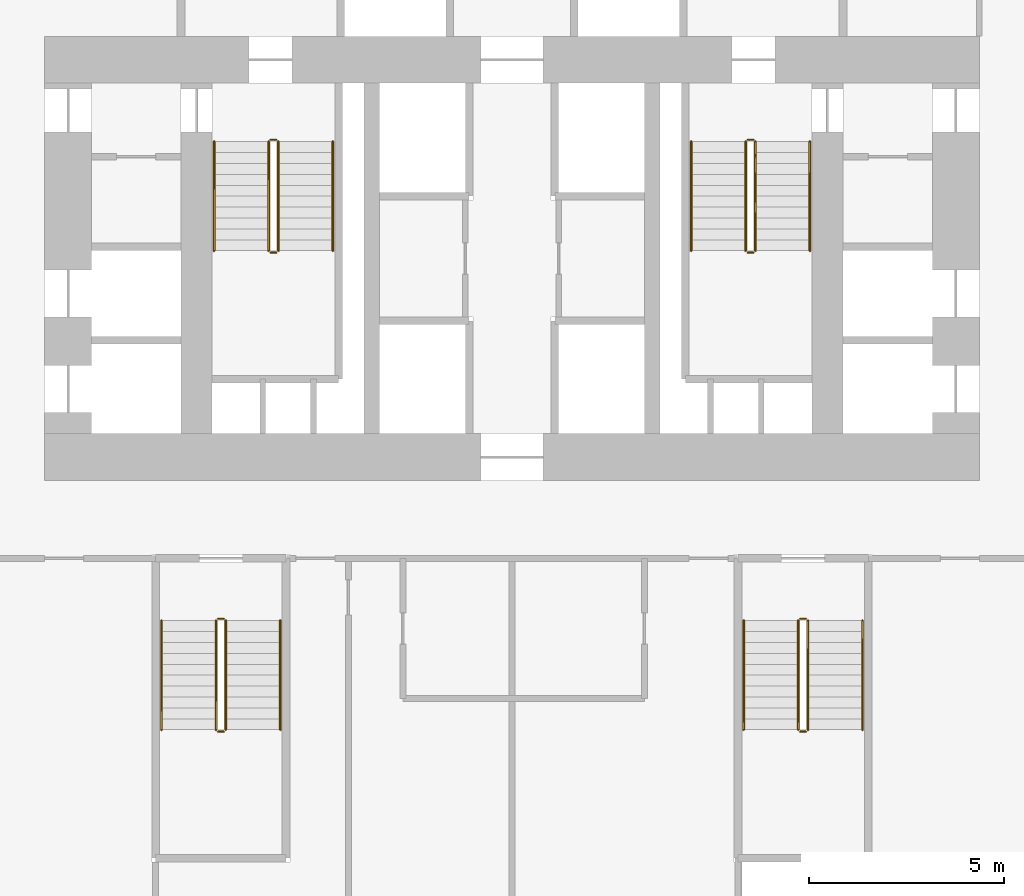
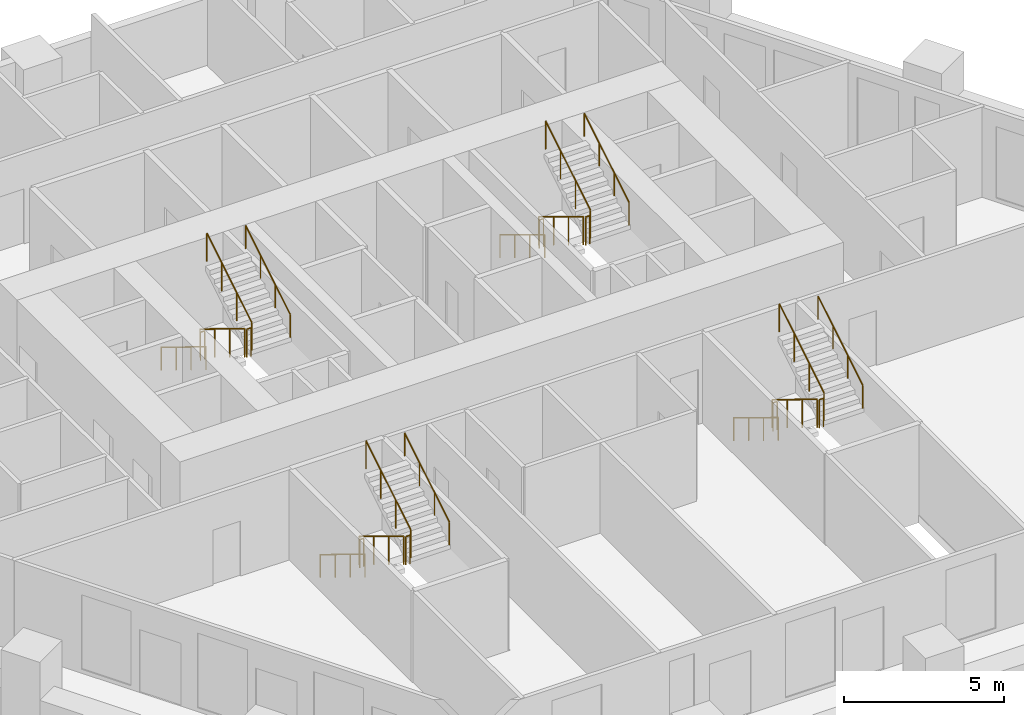
# One storey, part 8 of 8: 24 railings.
"""IFC4 building model written with IfcOpenShell, lengths in metres."""

from ifc_helpers import new_model, si_unit, direction, frame, origin, origin_2d, place, context, subcontext, project, spatial, circle, extrude, material, type_object, element, save


model = new_model("IFC4")

# Units and contexts
model_context = context("Model", 3, precision=1e-05, world=origin(), true_north=direction((0.0, 1.0)))
body_context = subcontext(model_context, "Body", "Model", "MODEL_VIEW")
ifc_project = project(units=[si_unit("LENGTHUNIT", "METRE"), si_unit("AREAUNIT", "SQUARE_METRE"), si_unit("VOLUMEUNIT", "CUBIC_METRE"), si_unit("PLANEANGLEUNIT", "RADIAN"), si_unit("MASSUNIT", "GRAM", prefix="KILO")], contexts=[model_context])

# Site, building, storey
site_placement = place(None, origin())
site = spatial("IfcSite", under=ifc_project, at=site_placement, CompositionType="ELEMENT")
building_placement = place(site_placement, origin())
building = spatial("IfcBuilding", under=site, at=building_placement, Name="Ostrander Bayou Hotel Tower", CompositionType="ELEMENT")
storey_placement = place(building_placement, frame((0.0, 0.0, 39.25)))
storey = spatial("IfcBuildingStorey", under=building, at=storey_placement, Name="L09", CompositionType="ELEMENT", Elevation=39.25)

# Railings
ifc_material_1 = material(Name="Steel ASTM A500 Gr C", Category="steel")
railing_type_1 = type_object("IfcRailingType", Name="GR1 stair guard 1100 mm steel", PredefinedType="GUARDRAIL", material=ifc_material_1)
railing_1_placement = place(storey_placement, frame((-6.25, 7.0, 0.17041015625)))
element("IfcRailing", 1, at=railing_1_placement, inside=storey, type_object=railing_type_1, Name="L09 STA stair guard 1", PredefinedType="GUARDRAIL", context=body_context, shape_type="SweptSolid", body=[
    extrude(circle(Radius=0.02392578125, at=origin_2d()), frame((0.0, 0.0, 1.076171875), z_axis=(0.0, -0.854169791009, 0.51999420009), x_axis=(1.0, 0.0, 0.0)), (0.0, 0.0, 1.0), 3.278076171875),
    extrude(circle(Radius=0.02099609375, at=origin_2d()), origin(), (0.0, 0.0, 1.0), 1.052001953125),
    extrude(circle(Radius=0.02099609375, at=origin_2d()), frame((0.0, -0.933349609375, 0.568115234375)), (0.0, 0.0, 1.0), 1.052001953125),
    extrude(circle(Radius=0.02099609375, at=origin_2d()), frame((0.0, -1.86669921875, 1.136474609375)), (0.0, 0.0, 1.0), 1.052001953125),
    extrude(circle(Radius=0.02099609375, at=origin_2d()), frame((0.0, -2.800048828125, 1.70458984375)), (0.0, 0.0, 1.0), 1.052001953125),
])
railing_2_placement = place(storey_placement, frame((-6.199951171875, 4.14990234375, 1.875)))
element("IfcRailing", 2, at=railing_2_placement, inside=storey, type_object=railing_type_1, Name="L09 STA stair guard 2", PredefinedType="GUARDRAIL", context=body_context, shape_type="SweptSolid", body=[
    extrude(circle(Radius=0.02392578125, at=origin_2d()), frame((0.0, 0.0, 1.076171875), z_axis=(1.0, 0.0, 0.0), x_axis=(0.0, 1.0, 0.0)), (0.0, 0.0, 1.0), 0.14990234375),
    extrude(circle(Radius=0.02099609375, at=origin_2d()), origin(), (0.0, 0.0, 1.0), 1.052001953125),
    extrude(circle(Radius=0.02099609375, at=origin_2d()), frame((0.14990234375, 0.0, 0.0)), (0.0, 0.0, 1.0), 1.052001953125),
])
railing_3_placement = place(storey_placement, frame((-6.0, 4.199951171875, 2.04541015625)))
element("IfcRailing", 3, at=railing_3_placement, inside=storey, type_object=railing_type_1, Name="L09 STA stair guard 3", PredefinedType="GUARDRAIL", context=body_context, shape_type="SweptSolid", body=[
    extrude(circle(Radius=0.02392578125, at=origin_2d()), frame((0.0, 0.0, 1.076171875), z_axis=(0.0, 0.854169791009, 0.51999420009), x_axis=(-1.0, 0.0, 0.0)), (0.0, 0.0, 1.0), 3.278076171875),
    extrude(circle(Radius=0.02099609375, at=origin_2d()), origin(), (0.0, 0.0, 1.0), 1.052001953125),
    extrude(circle(Radius=0.02099609375, at=origin_2d()), frame((0.0, 0.933349609375, 0.568115234375)), (0.0, 0.0, 1.0), 1.052001953125),
    extrude(circle(Radius=0.02099609375, at=origin_2d()), frame((0.0, 1.86669921875, 1.136474609375)), (0.0, 0.0, 1.0), 1.052001953125),
    extrude(circle(Radius=0.02099609375, at=origin_2d()), frame((0.0, 2.800048828125, 1.70458984375)), (0.0, 0.0, 1.0), 1.052001953125),
])
railing_4_placement = place(storey_placement, frame((-6.199951171875, 7.050048828125, 0.0)))
element("IfcRailing", 4, at=railing_4_placement, inside=storey, type_object=railing_type_1, Name="L09 STA stair guard 4", PredefinedType="GUARDRAIL", context=body_context, shape_type="SweptSolid", body=[
    extrude(circle(Radius=0.02392578125, at=origin_2d()), frame((0.0, 0.0, 1.076171875), z_axis=(1.0, 0.0, 0.0), x_axis=(0.0, 1.0, 0.0)), (0.0, 0.0, 1.0), 0.14990234375),
    extrude(circle(Radius=0.02099609375, at=origin_2d()), origin(), (0.0, 0.0, 1.0), 1.052001953125),
    extrude(circle(Radius=0.02099609375, at=origin_2d()), frame((0.14990234375, 0.0, 0.0)), (0.0, 0.0, 1.0), 1.052001953125),
])
railing_5_placement = place(storey_placement, frame((6.0, 7.0, 0.17041015625)))
element("IfcRailing", 5, at=railing_5_placement, inside=storey, type_object=railing_type_1, Name="L09 STB stair guard 1", PredefinedType="GUARDRAIL", context=body_context, shape_type="SweptSolid", body=[
    extrude(circle(Radius=0.02392578125, at=origin_2d()), frame((0.0, 0.0, 1.076171875), z_axis=(0.0, -0.854169791009, 0.51999420009), x_axis=(1.0, 0.0, 0.0)), (0.0, 0.0, 1.0), 3.278076171875),
    extrude(circle(Radius=0.02099609375, at=origin_2d()), origin(), (0.0, 0.0, 1.0), 1.052001953125),
    extrude(circle(Radius=0.02099609375, at=origin_2d()), frame((0.0, -0.933349609375, 0.568115234375)), (0.0, 0.0, 1.0), 1.052001953125),
    extrude(circle(Radius=0.02099609375, at=origin_2d()), frame((0.0, -1.86669921875, 1.136474609375)), (0.0, 0.0, 1.0), 1.052001953125),
    extrude(circle(Radius=0.02099609375, at=origin_2d()), frame((0.0, -2.800048828125, 1.70458984375)), (0.0, 0.0, 1.0), 1.052001953125),
])
railing_6_placement = place(storey_placement, frame((6.050048828125, 4.14990234375, 1.875)))
element("IfcRailing", 6, at=railing_6_placement, inside=storey, type_object=railing_type_1, Name="L09 STB stair guard 2", PredefinedType="GUARDRAIL", context=body_context, shape_type="SweptSolid", body=[
    extrude(circle(Radius=0.02392578125, at=origin_2d()), frame((0.0, 0.0, 1.076171875), z_axis=(1.0, 0.0, 0.0), x_axis=(0.0, 1.0, 0.0)), (0.0, 0.0, 1.0), 0.14990234375),
    extrude(circle(Radius=0.02099609375, at=origin_2d()), origin(), (0.0, 0.0, 1.0), 1.052001953125),
    extrude(circle(Radius=0.02099609375, at=origin_2d()), frame((0.14990234375, 0.0, 0.0)), (0.0, 0.0, 1.0), 1.052001953125),
])
railing_7_placement = place(storey_placement, frame((6.25, 4.199951171875, 2.04541015625)))
element("IfcRailing", 7, at=railing_7_placement, inside=storey, type_object=railing_type_1, Name="L09 STB stair guard 3", PredefinedType="GUARDRAIL", context=body_context, shape_type="SweptSolid", body=[
    extrude(circle(Radius=0.02392578125, at=origin_2d()), frame((0.0, 0.0, 1.076171875), z_axis=(0.0, 0.854169791009, 0.51999420009), x_axis=(-1.0, 0.0, 0.0)), (0.0, 0.0, 1.0), 3.278076171875),
    extrude(circle(Radius=0.02099609375, at=origin_2d()), origin(), (0.0, 0.0, 1.0), 1.052001953125),
    extrude(circle(Radius=0.02099609375, at=origin_2d()), frame((0.0, 0.933349609375, 0.568115234375)), (0.0, 0.0, 1.0), 1.052001953125),
    extrude(circle(Radius=0.02099609375, at=origin_2d()), frame((0.0, 1.86669921875, 1.136474609375)), (0.0, 0.0, 1.0), 1.052001953125),
    extrude(circle(Radius=0.02099609375, at=origin_2d()), frame((0.0, 2.800048828125, 1.70458984375)), (0.0, 0.0, 1.0), 1.052001953125),
])
railing_8_placement = place(storey_placement, frame((6.050048828125, 7.050048828125, 0.0)))
element("IfcRailing", 8, at=railing_8_placement, inside=storey, type_object=railing_type_1, Name="L09 STB stair guard 4", PredefinedType="GUARDRAIL", context=body_context, shape_type="SweptSolid", body=[
    extrude(circle(Radius=0.02392578125, at=origin_2d()), frame((0.0, 0.0, 1.076171875), z_axis=(1.0, 0.0, 0.0), x_axis=(0.0, 1.0, 0.0)), (0.0, 0.0, 1.0), 0.14990234375),
    extrude(circle(Radius=0.02099609375, at=origin_2d()), origin(), (0.0, 0.0, 1.0), 1.052001953125),
    extrude(circle(Radius=0.02099609375, at=origin_2d()), frame((0.14990234375, 0.0, 0.0)), (0.0, 0.0, 1.0), 1.052001953125),
])
railing_9_placement = place(storey_placement, frame((7.35009765625, -5.300048828125, 0.17041015625)))
element("IfcRailing", 9, at=railing_9_placement, inside=storey, type_object=railing_type_1, Name="L09 STC stair guard 1", PredefinedType="GUARDRAIL", context=body_context, shape_type="SweptSolid", body=[
    extrude(circle(Radius=0.02392578125, at=origin_2d()), frame((0.0, 0.0, 1.076171875), z_axis=(0.0, -0.854169791009, 0.51999420009), x_axis=(1.0, 0.0, 0.0)), (0.0, 0.0, 1.0), 3.278076171875),
    extrude(circle(Radius=0.02099609375, at=origin_2d()), origin(), (0.0, 0.0, 1.0), 1.052001953125),
    extrude(circle(Radius=0.02099609375, at=origin_2d()), frame((0.0, -0.933349609375, 0.568115234375)), (0.0, 0.0, 1.0), 1.052001953125),
    extrude(circle(Radius=0.02099609375, at=origin_2d()), frame((0.0, -1.86669921875, 1.136474609375)), (0.0, 0.0, 1.0), 1.052001953125),
    extrude(circle(Radius=0.02099609375, at=origin_2d()), frame((0.0, -2.800048828125, 1.70458984375)), (0.0, 0.0, 1.0), 1.052001953125),
])
railing_10_placement = place(storey_placement, frame((7.39990234375, -8.14990234375, 1.875)))
element("IfcRailing", 10, at=railing_10_placement, inside=storey, type_object=railing_type_1, Name="L09 STC stair guard 2", PredefinedType="GUARDRAIL", context=body_context, shape_type="SweptSolid", body=[
    extrude(circle(Radius=0.02392578125, at=origin_2d()), frame((0.0, 0.0, 1.076171875), z_axis=(1.0, 0.0, 0.0), x_axis=(0.0, 1.0, 0.0)), (0.0, 0.0, 1.0), 0.150146484375),
    extrude(circle(Radius=0.02099609375, at=origin_2d()), origin(), (0.0, 0.0, 1.0), 1.052001953125),
    extrude(circle(Radius=0.02099609375, at=origin_2d()), frame((0.150146484375, 0.0, 0.0)), (0.0, 0.0, 1.0), 1.052001953125),
])
railing_11_placement = place(storey_placement, frame((7.60009765625, -8.10009765625, 2.04541015625)))
element("IfcRailing", 11, at=railing_11_placement, inside=storey, type_object=railing_type_1, Name="L09 STC stair guard 3", PredefinedType="GUARDRAIL", context=body_context, shape_type="SweptSolid", body=[
    extrude(circle(Radius=0.02392578125, at=origin_2d()), frame((0.0, 0.0, 1.076171875), z_axis=(0.0, 0.854169791009, 0.51999420009), x_axis=(-1.0, 0.0, 0.0)), (0.0, 0.0, 1.0), 3.278076171875),
    extrude(circle(Radius=0.02099609375, at=origin_2d()), origin(), (0.0, 0.0, 1.0), 1.052001953125),
    extrude(circle(Radius=0.02099609375, at=origin_2d()), frame((0.0, 0.933349609375, 0.568115234375)), (0.0, 0.0, 1.0), 1.052001953125),
    extrude(circle(Radius=0.02099609375, at=origin_2d()), frame((0.0, 1.86669921875, 1.136474609375)), (0.0, 0.0, 1.0), 1.052001953125),
    extrude(circle(Radius=0.02099609375, at=origin_2d()), frame((0.0, 2.800048828125, 1.70458984375)), (0.0, 0.0, 1.0), 1.052001953125),
])
railing_12_placement = place(storey_placement, frame((7.39990234375, -5.25, 0.0)))
element("IfcRailing", 12, at=railing_12_placement, inside=storey, type_object=railing_type_1, Name="L09 STC stair guard 4", PredefinedType="GUARDRAIL", context=body_context, shape_type="SweptSolid", body=[
    extrude(circle(Radius=0.02392578125, at=origin_2d()), frame((0.0, 0.0, 1.076171875), z_axis=(1.0, 0.0, 0.0), x_axis=(0.0, 1.0, 0.0)), (0.0, 0.0, 1.0), 0.150146484375),
    extrude(circle(Radius=0.02099609375, at=origin_2d()), origin(), (0.0, 0.0, 1.0), 1.052001953125),
    extrude(circle(Radius=0.02099609375, at=origin_2d()), frame((0.150146484375, 0.0, 0.0)), (0.0, 0.0, 1.0), 1.052001953125),
])
railing_13_placement = place(storey_placement, frame((-7.60009765625, -5.300048828125, 0.17041015625)))
element("IfcRailing", 13, at=railing_13_placement, inside=storey, type_object=railing_type_1, Name="L09 STD stair guard 1", PredefinedType="GUARDRAIL", context=body_context, shape_type="SweptSolid", body=[
    extrude(circle(Radius=0.02392578125, at=origin_2d()), frame((0.0, 0.0, 1.076171875), z_axis=(0.0, -0.854169791009, 0.51999420009), x_axis=(1.0, 0.0, 0.0)), (0.0, 0.0, 1.0), 3.278076171875),
    extrude(circle(Radius=0.02099609375, at=origin_2d()), origin(), (0.0, 0.0, 1.0), 1.052001953125),
    extrude(circle(Radius=0.02099609375, at=origin_2d()), frame((0.0, -0.933349609375, 0.568115234375)), (0.0, 0.0, 1.0), 1.052001953125),
    extrude(circle(Radius=0.02099609375, at=origin_2d()), frame((0.0, -1.86669921875, 1.136474609375)), (0.0, 0.0, 1.0), 1.052001953125),
    extrude(circle(Radius=0.02099609375, at=origin_2d()), frame((0.0, -2.800048828125, 1.70458984375)), (0.0, 0.0, 1.0), 1.052001953125),
])
railing_14_placement = place(storey_placement, frame((-7.550048828125, -8.14990234375, 1.875)))
element("IfcRailing", 14, at=railing_14_placement, inside=storey, type_object=railing_type_1, Name="L09 STD stair guard 2", PredefinedType="GUARDRAIL", context=body_context, shape_type="SweptSolid", body=[
    extrude(circle(Radius=0.02392578125, at=origin_2d()), frame((0.0, 0.0, 1.076171875), z_axis=(1.0, 0.0, 0.0), x_axis=(0.0, 1.0, 0.0)), (0.0, 0.0, 1.0), 0.150146484375),
    extrude(circle(Radius=0.02099609375, at=origin_2d()), origin(), (0.0, 0.0, 1.0), 1.052001953125),
    extrude(circle(Radius=0.02099609375, at=origin_2d()), frame((0.150146484375, 0.0, 0.0)), (0.0, 0.0, 1.0), 1.052001953125),
])
railing_15_placement = place(storey_placement, frame((-7.35009765625, -8.10009765625, 2.04541015625)))
element("IfcRailing", 15, at=railing_15_placement, inside=storey, type_object=railing_type_1, Name="L09 STD stair guard 3", PredefinedType="GUARDRAIL", context=body_context, shape_type="SweptSolid", body=[
    extrude(circle(Radius=0.02392578125, at=origin_2d()), frame((0.0, 0.0, 1.076171875), z_axis=(0.0, 0.854169791009, 0.51999420009), x_axis=(-1.0, 0.0, 0.0)), (0.0, 0.0, 1.0), 3.278076171875),
    extrude(circle(Radius=0.02099609375, at=origin_2d()), origin(), (0.0, 0.0, 1.0), 1.052001953125),
    extrude(circle(Radius=0.02099609375, at=origin_2d()), frame((0.0, 0.933349609375, 0.568115234375)), (0.0, 0.0, 1.0), 1.052001953125),
    extrude(circle(Radius=0.02099609375, at=origin_2d()), frame((0.0, 1.86669921875, 1.136474609375)), (0.0, 0.0, 1.0), 1.052001953125),
    extrude(circle(Radius=0.02099609375, at=origin_2d()), frame((0.0, 2.800048828125, 1.70458984375)), (0.0, 0.0, 1.0), 1.052001953125),
])
railing_16_placement = place(storey_placement, frame((-7.550048828125, -5.25, 0.0)))
element("IfcRailing", 16, at=railing_16_placement, inside=storey, type_object=railing_type_1, Name="L09 STD stair guard 4", PredefinedType="GUARDRAIL", context=body_context, shape_type="SweptSolid", body=[
    extrude(circle(Radius=0.02392578125, at=origin_2d()), frame((0.0, 0.0, 1.076171875), z_axis=(1.0, 0.0, 0.0), x_axis=(0.0, 1.0, 0.0)), (0.0, 0.0, 1.0), 0.150146484375),
    extrude(circle(Radius=0.02099609375, at=origin_2d()), origin(), (0.0, 0.0, 1.0), 1.052001953125),
    extrude(circle(Radius=0.02099609375, at=origin_2d()), frame((0.150146484375, 0.0, 0.0)), (0.0, 0.0, 1.0), 1.052001953125),
])
ifc_material_2 = material(Name="Steel ASTM A500 Gr C", Category="steel")
railing_type_2 = type_object("IfcRailingType", Name="HR1 stair handrail 900 mm steel", PredefinedType="HANDRAIL", material=ifc_material_2)
railing_17_placement = place(storey_placement, frame((-7.64990234375, 7.0, 0.17041015625)))
element("IfcRailing", 17, at=railing_17_placement, inside=storey, type_object=railing_type_2, Name="L09 STA stair handrail 1", PredefinedType="HANDRAIL", context=body_context, shape_type="SweptSolid", body=[
    extrude(circle(Radius=0.02392578125, at=origin_2d()), frame((0.0, 0.0, 0.8759765625), z_axis=(0.0, -0.854169791009, 0.51999420009), x_axis=(1.0, 0.0, 0.0)), (0.0, 0.0, 1.0), 3.278076171875),
    extrude(circle(Radius=0.02099609375, at=origin_2d()), origin(), (0.0, 0.0, 1.0), 0.851806640625),
    extrude(circle(Radius=0.02099609375, at=origin_2d()), frame((0.0, -0.933349609375, 0.568115234375)), (0.0, 0.0, 1.0), 0.851806640625),
    extrude(circle(Radius=0.02099609375, at=origin_2d()), frame((0.0, -1.86669921875, 1.136474609375)), (0.0, 0.0, 1.0), 0.851806640625),
    extrude(circle(Radius=0.02099609375, at=origin_2d()), frame((0.0, -2.800048828125, 1.70458984375)), (0.0, 0.0, 1.0), 0.851806640625),
])
railing_18_placement = place(storey_placement, frame((-4.60009765625, 4.199951171875, 2.04541015625)))
element("IfcRailing", 18, at=railing_18_placement, inside=storey, type_object=railing_type_2, Name="L09 STA stair handrail 2", PredefinedType="HANDRAIL", context=body_context, shape_type="SweptSolid", body=[
    extrude(circle(Radius=0.02392578125, at=origin_2d()), frame((0.0, 0.0, 0.8759765625), z_axis=(0.0, 0.854169791009, 0.51999420009), x_axis=(-1.0, 0.0, 0.0)), (0.0, 0.0, 1.0), 3.278076171875),
    extrude(circle(Radius=0.02099609375, at=origin_2d()), origin(), (0.0, 0.0, 1.0), 0.851806640625),
    extrude(circle(Radius=0.02099609375, at=origin_2d()), frame((0.0, 0.933349609375, 0.568115234375)), (0.0, 0.0, 1.0), 0.851806640625),
    extrude(circle(Radius=0.02099609375, at=origin_2d()), frame((0.0, 1.86669921875, 1.136474609375)), (0.0, 0.0, 1.0), 0.851806640625),
    extrude(circle(Radius=0.02099609375, at=origin_2d()), frame((0.0, 2.800048828125, 1.70458984375)), (0.0, 0.0, 1.0), 0.851806640625),
])
railing_19_placement = place(storey_placement, frame((4.60009765625, 7.0, 0.17041015625)))
element("IfcRailing", 19, at=railing_19_placement, inside=storey, type_object=railing_type_2, Name="L09 STB stair handrail 1", PredefinedType="HANDRAIL", context=body_context, shape_type="SweptSolid", body=[
    extrude(circle(Radius=0.02392578125, at=origin_2d()), frame((0.0, 0.0, 0.8759765625), z_axis=(0.0, -0.854169791009, 0.51999420009), x_axis=(1.0, 0.0, 0.0)), (0.0, 0.0, 1.0), 3.278076171875),
    extrude(circle(Radius=0.02099609375, at=origin_2d()), origin(), (0.0, 0.0, 1.0), 0.851806640625),
    extrude(circle(Radius=0.02099609375, at=origin_2d()), frame((0.0, -0.933349609375, 0.568115234375)), (0.0, 0.0, 1.0), 0.851806640625),
    extrude(circle(Radius=0.02099609375, at=origin_2d()), frame((0.0, -1.86669921875, 1.136474609375)), (0.0, 0.0, 1.0), 0.851806640625),
    extrude(circle(Radius=0.02099609375, at=origin_2d()), frame((0.0, -2.800048828125, 1.70458984375)), (0.0, 0.0, 1.0), 0.851806640625),
])
railing_20_placement = place(storey_placement, frame((7.64990234375, 4.199951171875, 2.04541015625)))
element("IfcRailing", 20, at=railing_20_placement, inside=storey, type_object=railing_type_2, Name="L09 STB stair handrail 2", PredefinedType="HANDRAIL", context=body_context, shape_type="SweptSolid", body=[
    extrude(circle(Radius=0.02392578125, at=origin_2d()), frame((0.0, 0.0, 0.8759765625), z_axis=(0.0, 0.854169791009, 0.51999420009), x_axis=(-1.0, 0.0, 0.0)), (0.0, 0.0, 1.0), 3.278076171875),
    extrude(circle(Radius=0.02099609375, at=origin_2d()), origin(), (0.0, 0.0, 1.0), 0.851806640625),
    extrude(circle(Radius=0.02099609375, at=origin_2d()), frame((0.0, 0.933349609375, 0.568115234375)), (0.0, 0.0, 1.0), 0.851806640625),
    extrude(circle(Radius=0.02099609375, at=origin_2d()), frame((0.0, 1.86669921875, 1.136474609375)), (0.0, 0.0, 1.0), 0.851806640625),
    extrude(circle(Radius=0.02099609375, at=origin_2d()), frame((0.0, 2.800048828125, 1.70458984375)), (0.0, 0.0, 1.0), 0.851806640625),
])
railing_21_placement = place(storey_placement, frame((5.949951171875, -5.300048828125, 0.17041015625)))
element("IfcRailing", 21, at=railing_21_placement, inside=storey, type_object=railing_type_2, Name="L09 STC stair handrail 1", PredefinedType="HANDRAIL", context=body_context, shape_type="SweptSolid", body=[
    extrude(circle(Radius=0.02392578125, at=origin_2d()), frame((0.0, 0.0, 0.8759765625), z_axis=(0.0, -0.854169791009, 0.51999420009), x_axis=(1.0, 0.0, 0.0)), (0.0, 0.0, 1.0), 3.278076171875),
    extrude(circle(Radius=0.02099609375, at=origin_2d()), origin(), (0.0, 0.0, 1.0), 0.851806640625),
    extrude(circle(Radius=0.02099609375, at=origin_2d()), frame((0.0, -0.933349609375, 0.568115234375)), (0.0, 0.0, 1.0), 0.851806640625),
    extrude(circle(Radius=0.02099609375, at=origin_2d()), frame((0.0, -1.86669921875, 1.136474609375)), (0.0, 0.0, 1.0), 0.851806640625),
    extrude(circle(Radius=0.02099609375, at=origin_2d()), frame((0.0, -2.800048828125, 1.70458984375)), (0.0, 0.0, 1.0), 0.851806640625),
])
railing_22_placement = place(storey_placement, frame((9.0, -8.10009765625, 2.04541015625)))
element("IfcRailing", 22, at=railing_22_placement, inside=storey, type_object=railing_type_2, Name="L09 STC stair handrail 2", PredefinedType="HANDRAIL", context=body_context, shape_type="SweptSolid", body=[
    extrude(circle(Radius=0.02392578125, at=origin_2d()), frame((0.0, 0.0, 0.8759765625), z_axis=(0.0, 0.854169791009, 0.51999420009), x_axis=(-1.0, 0.0, 0.0)), (0.0, 0.0, 1.0), 3.278076171875),
    extrude(circle(Radius=0.02099609375, at=origin_2d()), origin(), (0.0, 0.0, 1.0), 0.851806640625),
    extrude(circle(Radius=0.02099609375, at=origin_2d()), frame((0.0, 0.933349609375, 0.568115234375)), (0.0, 0.0, 1.0), 0.851806640625),
    extrude(circle(Radius=0.02099609375, at=origin_2d()), frame((0.0, 1.86669921875, 1.136474609375)), (0.0, 0.0, 1.0), 0.851806640625),
    extrude(circle(Radius=0.02099609375, at=origin_2d()), frame((0.0, 2.800048828125, 1.70458984375)), (0.0, 0.0, 1.0), 0.851806640625),
])
railing_23_placement = place(storey_placement, frame((-9.0, -5.300048828125, 0.17041015625)))
element("IfcRailing", 23, at=railing_23_placement, inside=storey, type_object=railing_type_2, Name="L09 STD stair handrail 1", PredefinedType="HANDRAIL", context=body_context, shape_type="SweptSolid", body=[
    extrude(circle(Radius=0.02392578125, at=origin_2d()), frame((0.0, 0.0, 0.8759765625), z_axis=(0.0, -0.854169791009, 0.51999420009), x_axis=(1.0, 0.0, 0.0)), (0.0, 0.0, 1.0), 3.278076171875),
    extrude(circle(Radius=0.02099609375, at=origin_2d()), origin(), (0.0, 0.0, 1.0), 0.851806640625),
    extrude(circle(Radius=0.02099609375, at=origin_2d()), frame((0.0, -0.933349609375, 0.568115234375)), (0.0, 0.0, 1.0), 0.851806640625),
    extrude(circle(Radius=0.02099609375, at=origin_2d()), frame((0.0, -1.86669921875, 1.136474609375)), (0.0, 0.0, 1.0), 0.851806640625),
    extrude(circle(Radius=0.02099609375, at=origin_2d()), frame((0.0, -2.800048828125, 1.70458984375)), (0.0, 0.0, 1.0), 0.851806640625),
])
railing_24_placement = place(storey_placement, frame((-5.949951171875, -8.10009765625, 2.04541015625)))
element("IfcRailing", 24, at=railing_24_placement, inside=storey, type_object=railing_type_2, Name="L09 STD stair handrail 2", PredefinedType="HANDRAIL", context=body_context, shape_type="SweptSolid", body=[
    extrude(circle(Radius=0.02392578125, at=origin_2d()), frame((0.0, 0.0, 0.8759765625), z_axis=(0.0, 0.854169791009, 0.51999420009), x_axis=(-1.0, 0.0, 0.0)), (0.0, 0.0, 1.0), 3.278076171875),
    extrude(circle(Radius=0.02099609375, at=origin_2d()), origin(), (0.0, 0.0, 1.0), 0.851806640625),
    extrude(circle(Radius=0.02099609375, at=origin_2d()), frame((0.0, 0.933349609375, 0.568115234375)), (0.0, 0.0, 1.0), 0.851806640625),
    extrude(circle(Radius=0.02099609375, at=origin_2d()), frame((0.0, 1.86669921875, 1.136474609375)), (0.0, 0.0, 1.0), 0.851806640625),
    extrude(circle(Radius=0.02099609375, at=origin_2d()), frame((0.0, 2.800048828125, 1.70458984375)), (0.0, 0.0, 1.0), 0.851806640625),
])

save(model, "model.ifc")
